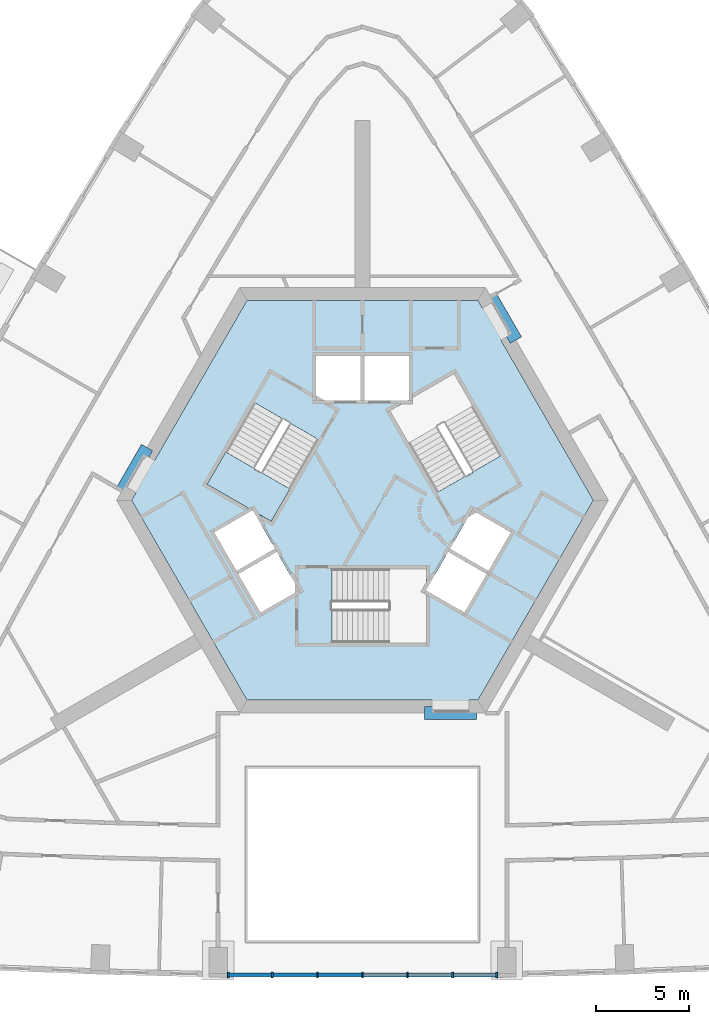
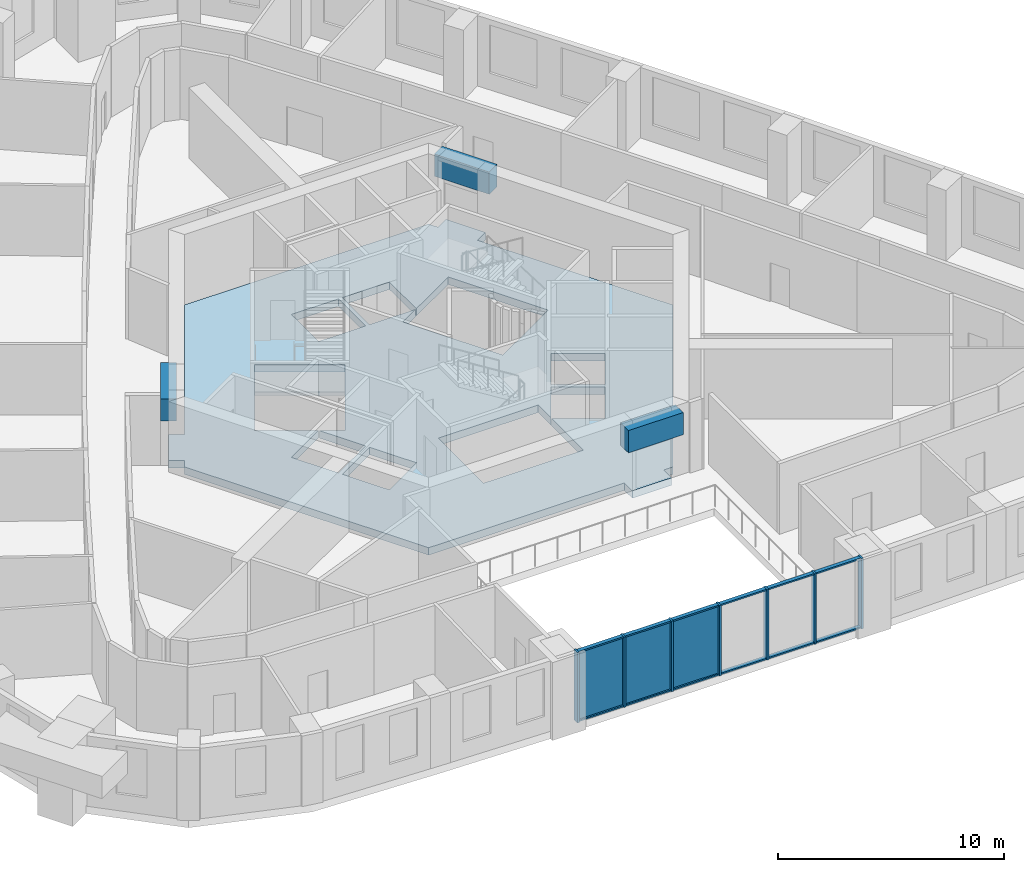
# One storey, part 2 of 13: 19 members, 3 beams, 3 plates, 2 slabs, 2 elements without a shape of their own.
"""IFC4 building model written with IfcOpenShell, lengths in metres."""

from ifc_helpers import new_model, si_unit, direction, frame, origin, origin_2d, place, context, subcontext, project, spatial, polyline, rectangle, outline, extrude, material, layer, layer_set, material_profile, profile_set, type_object, element, aggregate, save


model = new_model("IFC4")

# Units and contexts
model_context = context("Model", 3, precision=1e-05, world=origin(), true_north=direction((0.0, 1.0)))
body_context = subcontext(model_context, "Body", "Model", "MODEL_VIEW")
ifc_project = project(units=[si_unit("LENGTHUNIT", "METRE"), si_unit("AREAUNIT", "SQUARE_METRE"), si_unit("VOLUMEUNIT", "CUBIC_METRE"), si_unit("PLANEANGLEUNIT", "RADIAN"), si_unit("MASSUNIT", "GRAM", prefix="KILO")], contexts=[model_context])

# Site, building, storey
site_placement = place(None, origin())
site = spatial("IfcSite", under=ifc_project, at=site_placement, CompositionType="ELEMENT")
building_placement = place(site_placement, origin())
building = spatial("IfcBuilding", under=site, at=building_placement, Name="Entoto Arch Interchange Tower", CompositionType="ELEMENT")
storey_placement = place(building_placement, frame((0.0, 0.0, 223.39990234375)))
storey = spatial("IfcBuildingStorey", under=building, at=storey_placement, Name="L50", CompositionType="ELEMENT", Elevation=223.39990234375)

# Beams
ifc_material_1 = material(Name="Concrete C50/60", Category="concrete")
ifc_material_profile_1 = material_profile(ifc_material_1, rectangle(XDim=0.699951171875, YDim=1.199951171875, at=origin_2d()))
ifc_profile_set_1 = profile_set([ifc_material_profile_1], Name="Concrete C50/60")
beam_type = type_object("IfcBeamType", Name="Coupling beam RC 700x1200 C50/60", PredefinedType="BEAM", material=ifc_profile_set_1)
for number, where, z_axis, x_axis, name in (
    (1, (8.283935546875, 11.152099609375, 3.0), (-0.500135180047, 0.865947343479, 0.0), (-0.865947343479, -0.500135180047, 0.0), "Coupling beam NE L50"),
    (2, (-11.634033203125, 5.347900390625, 3.0), (-0.500135180047, -0.865947343479, 0.0), (0.865947343479, -0.500135180047, 0.0), "Coupling beam NW L50"),
):
    element("IfcBeam", number, at=place(storey_placement, frame(where, z_axis=z_axis, x_axis=x_axis)), inside=storey, type_object=beam_type, Name=name, PredefinedType="BEAM", context=body_context, shape_type="SweptSolid", body=[
        extrude(rectangle(XDim=0.699951171875, YDim=1.199951171875, at=origin_2d()), origin(), (0.0, 0.0, 1.0), 2.799072265625),
    ])
beam_placement = place(storey_placement, frame((3.35009765625, -9.0, 3.0), z_axis=(1.0, 0.0, 0.0), x_axis=(0.0, 1.0, 0.0)))
element("IfcBeam", 3, at=beam_placement, inside=storey, type_object=beam_type, Name="Coupling beam S L50", PredefinedType="BEAM", context=body_context, shape_type="SweptSolid", body=[
    extrude(rectangle(XDim=0.699951171875, YDim=1.199951171875, at=origin_2d()), origin(), (0.0, 0.0, 1.0), 2.7998046875),
])

# Curtain wall, members
ifc_material_2 = material(Name="Aluminium, anodised", Category="aluminium")
curtain_wall_type = type_object("IfcCurtainWallType", Name="CURTAIN WALL ATRIUM", PredefinedType="NOTDEFINED", material=ifc_material_2)
curtain_wall_placement = place(storey_placement, origin())
curtain_wall = element("IfcCurtainWall", 4, at=curtain_wall_placement, inside=storey, type_object=curtain_wall_type, Name="Atrium glazing S-03 L50", PredefinedType="NOTDEFINED")
ifc_material_profile_2 = material_profile(ifc_material_2, rectangle(XDim=0.300048828125, YDim=0.10009765625, at=origin_2d()))
ifc_profile_set_2 = profile_set([ifc_material_profile_2], Name="Aluminium, anodised")
member_type_1 = type_object("IfcMemberType", Name="MULLION ATRIUM 100x300", PredefinedType="MULLION", material=ifc_profile_set_2)
member_1_placement = place(storey_placement, frame((-7.2490234375, -23.135986328125, 0.0), z_axis=(0.0, 0.0, 1.0), x_axis=(0.0, 1.0, 0.0)))
member_1 = element("IfcMember", 5, at=member_1_placement, type_object=member_type_1, Name="CWA mullion 1", PredefinedType="MULLION", context=body_context, shape_type="SweptSolid", body=[
    extrude(rectangle(XDim=0.300048828125, YDim=0.10009765625, at=origin_2d()), origin(), (0.0, 0.0, 1.0), 3.800048828125),
])
member_2_placement = place(storey_placement, frame((-4.865966796875, -23.135986328125, 0.0), z_axis=(0.0, 0.0, 1.0), x_axis=(0.0, 1.0, 0.0)))
member_2 = element("IfcMember", 6, at=member_2_placement, type_object=member_type_1, Name="CWA mullion 2", PredefinedType="MULLION", context=body_context, shape_type="SweptSolid", body=[
    extrude(rectangle(XDim=0.300048828125, YDim=0.10009765625, at=origin_2d()), origin(), (0.0, 0.0, 1.0), 3.800048828125),
])
member_3_placement = place(storey_placement, frame((-2.43310546875, -23.135986328125, 0.0), z_axis=(0.0, 0.0, 1.0), x_axis=(0.0, 1.0, 0.0)))
member_3 = element("IfcMember", 7, at=member_3_placement, type_object=member_type_1, Name="CWA mullion 3", PredefinedType="MULLION", context=body_context, shape_type="SweptSolid", body=[
    extrude(rectangle(XDim=0.300048828125, YDim=0.10009765625, at=origin_2d()), origin(), (0.0, 0.0, 1.0), 3.800048828125),
])
member_4_placement = place(storey_placement, frame((0.0, -23.135986328125, 0.0), z_axis=(0.0, 0.0, 1.0), x_axis=(0.0, 1.0, 0.0)))
member_4 = element("IfcMember", 8, at=member_4_placement, type_object=member_type_1, Name="CWA mullion 4", PredefinedType="MULLION", context=body_context, shape_type="SweptSolid", body=[
    extrude(rectangle(XDim=0.300048828125, YDim=0.10009765625, at=origin_2d()), origin(), (0.0, 0.0, 1.0), 3.800048828125),
])
member_5_placement = place(storey_placement, frame((2.43310546875, -23.135986328125, 0.0), z_axis=(0.0, 0.0, 1.0), x_axis=(0.0, 1.0, 0.0)))
member_5 = element("IfcMember", 9, at=member_5_placement, type_object=member_type_1, Name="CWA mullion 5", PredefinedType="MULLION", context=body_context, shape_type="SweptSolid", body=[
    extrude(rectangle(XDim=0.300048828125, YDim=0.10009765625, at=origin_2d()), origin(), (0.0, 0.0, 1.0), 3.800048828125),
])
member_6_placement = place(storey_placement, frame((4.865966796875, -23.135986328125, 0.0), z_axis=(0.0, 0.0, 1.0), x_axis=(0.0, 1.0, 0.0)))
member_6 = element("IfcMember", 10, at=member_6_placement, type_object=member_type_1, Name="CWA mullion 6", PredefinedType="MULLION", context=body_context, shape_type="SweptSolid", body=[
    extrude(rectangle(XDim=0.300048828125, YDim=0.10009765625, at=origin_2d()), origin(), (0.0, 0.0, 1.0), 3.800048828125),
])
member_7_placement = place(storey_placement, frame((7.2490234375, -23.135986328125, 0.0), z_axis=(0.0, 0.0, 1.0), x_axis=(0.0, 1.0, 0.0)))
member_7 = element("IfcMember", 11, at=member_7_placement, type_object=member_type_1, Name="CWA mullion 7", PredefinedType="MULLION", context=body_context, shape_type="SweptSolid", body=[
    extrude(rectangle(XDim=0.300048828125, YDim=0.10009765625, at=origin_2d()), origin(), (0.0, 0.0, 1.0), 3.800048828125),
])
ifc_material_profile_3 = material_profile(ifc_material_2, rectangle(XDim=0.199951171875, YDim=0.080078125, at=origin_2d()))
ifc_profile_set_3 = profile_set([ifc_material_profile_3], Name="Aluminium, anodised")
member_type_2 = type_object("IfcMemberType", Name="TRANSOM ATRIUM 80x200", PredefinedType="USERDEFINED", material=ifc_profile_set_3)
member_8_placement = place(storey_placement, frame((-7.198974609375, -23.135986328125, 0.0400390625), z_axis=(1.0, 0.0, 0.0), x_axis=(0.0, 1.0, 0.0)))
member_8 = element("IfcMember", 12, at=member_8_placement, type_object=member_type_2, Name="CWA transom 1.1", ObjectType="TRANSOM", PredefinedType="USERDEFINED", context=body_context, shape_type="SweptSolid", body=[
    extrude(rectangle(XDim=0.199951171875, YDim=0.080078125, at=origin_2d()), origin(), (0.0, 0.0, 1.0), 2.282958984375),
])
member_9_placement = place(storey_placement, frame((-7.198974609375, -23.135986328125, 3.760009765625), z_axis=(1.0, 0.0, 0.0), x_axis=(0.0, 1.0, 0.0)))
member_9 = element("IfcMember", 13, at=member_9_placement, type_object=member_type_2, Name="CWA transom 1.2", ObjectType="TRANSOM", PredefinedType="USERDEFINED", context=body_context, shape_type="SweptSolid", body=[
    extrude(rectangle(XDim=0.199951171875, YDim=0.080078125, at=origin_2d()), origin(), (0.0, 0.0, 1.0), 2.282958984375),
])
member_10_placement = place(storey_placement, frame((-4.81591796875, -23.135986328125, 0.0400390625), z_axis=(1.0, 0.0, 0.0), x_axis=(0.0, 1.0, 0.0)))
member_10 = element("IfcMember", 14, at=member_10_placement, type_object=member_type_2, Name="CWA transom 2.1", ObjectType="TRANSOM", PredefinedType="USERDEFINED", context=body_context, shape_type="SweptSolid", body=[
    extrude(rectangle(XDim=0.199951171875, YDim=0.080078125, at=origin_2d()), origin(), (0.0, 0.0, 1.0), 2.3330078125),
])
member_11_placement = place(storey_placement, frame((-4.81591796875, -23.135986328125, 3.760009765625), z_axis=(1.0, 0.0, 0.0), x_axis=(0.0, 1.0, 0.0)))
member_11 = element("IfcMember", 15, at=member_11_placement, type_object=member_type_2, Name="CWA transom 2.2", ObjectType="TRANSOM", PredefinedType="USERDEFINED", context=body_context, shape_type="SweptSolid", body=[
    extrude(rectangle(XDim=0.199951171875, YDim=0.080078125, at=origin_2d()), origin(), (0.0, 0.0, 1.0), 2.3330078125),
])
member_12_placement = place(storey_placement, frame((-2.383056640625, -23.135986328125, 0.0400390625), z_axis=(1.0, 0.0, 0.0), x_axis=(0.0, 1.0, 0.0)))
member_12 = element("IfcMember", 16, at=member_12_placement, type_object=member_type_2, Name="CWA transom 3.1", ObjectType="TRANSOM", PredefinedType="USERDEFINED", context=body_context, shape_type="SweptSolid", body=[
    extrude(rectangle(XDim=0.199951171875, YDim=0.080078125, at=origin_2d()), origin(), (0.0, 0.0, 1.0), 2.3330078125),
])
member_13_placement = place(storey_placement, frame((-2.383056640625, -23.135986328125, 3.760009765625), z_axis=(1.0, 0.0, 0.0), x_axis=(0.0, 1.0, 0.0)))
member_13 = element("IfcMember", 17, at=member_13_placement, type_object=member_type_2, Name="CWA transom 3.2", ObjectType="TRANSOM", PredefinedType="USERDEFINED", context=body_context, shape_type="SweptSolid", body=[
    extrude(rectangle(XDim=0.199951171875, YDim=0.080078125, at=origin_2d()), origin(), (0.0, 0.0, 1.0), 2.3330078125),
])
member_14_placement = place(storey_placement, frame((0.050048828125, -23.135986328125, 0.0400390625), z_axis=(1.0, 0.0, 0.0), x_axis=(0.0, 1.0, 0.0)))
member_14 = element("IfcMember", 18, at=member_14_placement, type_object=member_type_2, Name="CWA transom 4.1", ObjectType="TRANSOM", PredefinedType="USERDEFINED", context=body_context, shape_type="SweptSolid", body=[
    extrude(rectangle(XDim=0.199951171875, YDim=0.080078125, at=origin_2d()), origin(), (0.0, 0.0, 1.0), 2.3330078125),
])
member_15_placement = place(storey_placement, frame((0.050048828125, -23.135986328125, 3.760009765625), z_axis=(1.0, 0.0, 0.0), x_axis=(0.0, 1.0, 0.0)))
member_15 = element("IfcMember", 19, at=member_15_placement, type_object=member_type_2, Name="CWA transom 4.2", ObjectType="TRANSOM", PredefinedType="USERDEFINED", context=body_context, shape_type="SweptSolid", body=[
    extrude(rectangle(XDim=0.199951171875, YDim=0.080078125, at=origin_2d()), origin(), (0.0, 0.0, 1.0), 2.3330078125),
])
member_16_placement = place(storey_placement, frame((2.48291015625, -23.135986328125, 0.0400390625), z_axis=(1.0, 0.0, 0.0), x_axis=(0.0, 1.0, 0.0)))
member_16 = element("IfcMember", 20, at=member_16_placement, type_object=member_type_2, Name="CWA transom 5.1", ObjectType="TRANSOM", PredefinedType="USERDEFINED", context=body_context, shape_type="SweptSolid", body=[
    extrude(rectangle(XDim=0.199951171875, YDim=0.080078125, at=origin_2d()), origin(), (0.0, 0.0, 1.0), 2.3330078125),
])
member_17_placement = place(storey_placement, frame((2.48291015625, -23.135986328125, 3.760009765625), z_axis=(1.0, 0.0, 0.0), x_axis=(0.0, 1.0, 0.0)))
member_17 = element("IfcMember", 21, at=member_17_placement, type_object=member_type_2, Name="CWA transom 5.2", ObjectType="TRANSOM", PredefinedType="USERDEFINED", context=body_context, shape_type="SweptSolid", body=[
    extrude(rectangle(XDim=0.199951171875, YDim=0.080078125, at=origin_2d()), origin(), (0.0, 0.0, 1.0), 2.3330078125),
])
member_18_placement = place(storey_placement, frame((4.916015625, -23.135986328125, 0.0400390625), z_axis=(1.0, 0.0, 0.0), x_axis=(0.0, 1.0, 0.0)))
member_18 = element("IfcMember", 22, at=member_18_placement, type_object=member_type_2, Name="CWA transom 6.1", ObjectType="TRANSOM", PredefinedType="USERDEFINED", context=body_context, shape_type="SweptSolid", body=[
    extrude(rectangle(XDim=0.199951171875, YDim=0.080078125, at=origin_2d()), origin(), (0.0, 0.0, 1.0), 2.282958984375),
])
member_19_placement = place(storey_placement, frame((4.916015625, -23.135986328125, 3.760009765625), z_axis=(1.0, 0.0, 0.0), x_axis=(0.0, 1.0, 0.0)))
member_19 = element("IfcMember", 23, at=member_19_placement, type_object=member_type_2, Name="CWA transom 6.2", ObjectType="TRANSOM", PredefinedType="USERDEFINED", context=body_context, shape_type="SweptSolid", body=[
    extrude(rectangle(XDim=0.199951171875, YDim=0.080078125, at=origin_2d()), origin(), (0.0, 0.0, 1.0), 2.282958984375),
])

# Slab
ifc_material_3 = material(Name="Concrete C40/50", Category="concrete")
ifc_layer_1 = layer(ifc_material_3, 0.39990234375)
ifc_layer_set_1 = layer_set([ifc_layer_1], Name="Concrete C40/50")
slab_type_1 = type_object("IfcSlabType", Name="Core floor slab 400 C40/50", PredefinedType="FLOOR", material=ifc_layer_set_1)
slab_1_placement = place(storey_placement, frame((0.0, 0.0, -0.39990234375)))
element("IfcSlab", 24, at=slab_1_placement, inside=storey, type_object=slab_type_1, Name="Core floor slab L50", PredefinedType="FLOOR", context=body_context, shape_type="SweptSolid", body=[
    extrude(outline(polyline([(5.75, -9.0), (3.75, -9.0), (3.75, -8.300048828125), (-6.235107421875, -8.300048828125), (-12.470947265625, 2.5), (-12.22802734375, 2.919921875), (-12.833984375, 3.27001953125), (-11.833984375, 5.001953125), (-11.22802734375, 4.652099609375), (-6.235107421875, 13.300048828125), (6.235107421875, 13.300048828125), (6.47802734375, 12.8798828125), (7.083984375, 13.22998046875), (8.083984375, 11.498046875), (7.47802734375, 11.14794921875), (12.470947265625, 2.5), (6.235107421875, -8.300048828125), (5.75, -8.300048828125), (5.75, -9.0)]), holes=[polyline([(-1.64990234375, -5.199951171875), (3.449951171875, -5.199951171875), (3.449951171875, -2.3779296875), (5.5048828125, -3.56494140625), (6.705078125, -1.487060546875), (4.626953125, -0.287109375), (3.449951171875, -2.324951171875), (3.449951171875, -1.199951171875), (-1.64990234375, -1.199951171875), (-1.64990234375, -5.199951171875)]), polyline([(-4.626953125, -0.287109375), (-6.705078125, -1.487060546875), (-5.5048828125, -3.56494140625), (-3.427001953125, -2.364990234375), (-4.626953125, -0.287109375)]), polyline([(-5.904052734375, 1.925048828125), (-4.928955078125, 1.362060546875), (-2.37890625, 5.779052734375), (-5.843017578125, 7.779052734375), (-8.39306640625, 3.362060546875), (-5.949951171875, 1.951904296875), (-8.0048828125, 0.764892578125), (-6.804931640625, -1.31298828125), (-4.72705078125, -0.113037109375), (-5.904052734375, 1.925048828125)]), polyline([(4.72705078125, -0.113037109375), (6.804931640625, -1.31298828125), (8.0048828125, 0.764892578125), (5.927001953125, 1.965087890625), (4.72705078125, -0.113037109375)]), polyline([(2.5, 7.927001953125), (2.5, 10.300048828125), (0.10009765625, 10.300048828125), (0.10009765625, 7.89990234375), (2.452880859375, 7.89990234375), (1.47900390625, 7.337890625), (4.029052734375, 2.9208984375), (7.492919921875, 4.9208984375), (4.943115234375, 9.337890625), (2.5, 7.927001953125)]), polyline([(-2.5, 7.89990234375), (-0.10009765625, 7.89990234375), (-0.10009765625, 10.300048828125), (-2.5, 10.300048828125), (-2.5, 7.89990234375)])]), origin(), (0.0, 0.0, 1.0), 0.39990234375),
])

# Stair, slab
stair_type = type_object("IfcStairType", Name="EXIT STAIR RC 1800", PredefinedType="HALF_TURN_STAIR", material=ifc_material_3)
stair_placement = place(storey_placement, origin())
stair = element("IfcStair", 25, at=stair_placement, inside=storey, type_object=stair_type, Name="L50 Exit stair NW", PredefinedType="HALF_TURN_STAIR")
ifc_layer_2 = layer(ifc_material_3, 0.199951171875)
ifc_layer_set_2 = layer_set([ifc_layer_2], Name="Concrete C40/50")
slab_type_2 = type_object("IfcSlabType", Name="EXIT STAIR LANDING RC 200", PredefinedType="LANDING", material=ifc_layer_set_2)
slab_2_placement = place(storey_placement, frame((0.0, 0.0, 1.900146484375)))
slab_2 = element("IfcSlab", 26, at=slab_2_placement, type_object=slab_type_2, Name="ST-NW landing 1", PredefinedType="LANDING", context=body_context, shape_type="SweptSolid", body=[
    extrude(outline(polyline([(-7.38330078125, 5.111572265625), (-8.393310546875, 3.3623046875), (-4.92919921875, 1.3623046875), (-3.919189453125, 3.111572265625), (-7.38330078125, 5.111572265625)])), origin(), (0.0, 0.0, 1.0), 0.199951171875),
])
aggregate(stair, [slab_2])

# Plate
ifc_material_4 = material(Name="Clear glass, low-e double glazed", Category="glass")
ifc_layer_3 = layer(ifc_material_4, 0.031982421875)
ifc_layer_set_3 = layer_set([ifc_layer_3], Name="Clear glass, low-e double glazed")
plate_type = type_object("IfcPlateType", Name="GLAZING PANEL ATRIUM 32", PredefinedType="CURTAIN_PANEL", material=ifc_layer_set_3)
plate_1_placement = place(storey_placement, frame((-6.0576171875, -23.135986328125, 0.080078125), z_axis=(0.0, 0.0, 1.0), x_axis=(1.0, 0.0, 0.0)))
plate_1 = element("IfcPlate", 27, at=plate_1_placement, type_object=plate_type, Name="CWA panel 1.1", PredefinedType="CURTAIN_PANEL", context=body_context, shape_type="SweptSolid", body=[
    extrude(rectangle(XDim=2.282958984375, YDim=0.031982421875, at=origin_2d()), origin(), (0.0, 0.0, 1.0), 3.639892578125),
])

plate_2_placement = place(storey_placement, frame((-3.6494140625, -23.135986328125, 0.080078125), z_axis=(0.0, 0.0, 1.0), x_axis=(1.0, 0.0, 0.0)))
plate_2 = element("IfcPlate", 28, at=plate_2_placement, type_object=plate_type, Name="CWA panel 2.1", PredefinedType="CURTAIN_PANEL", context=body_context, shape_type="SweptSolid", body=[
    extrude(rectangle(XDim=2.3330078125, YDim=0.031982421875, at=origin_2d()), origin(), (0.0, 0.0, 1.0), 3.639892578125),
])

plate_3_placement = place(storey_placement, frame((-1.216552734375, -23.135986328125, 0.080078125), z_axis=(0.0, 0.0, 1.0), x_axis=(1.0, 0.0, 0.0)))
plate_3 = element("IfcPlate", 29, at=plate_3_placement, type_object=plate_type, Name="CWA panel 3.1", PredefinedType="CURTAIN_PANEL", context=body_context, shape_type="SweptSolid", body=[
    extrude(rectangle(XDim=2.3330078125, YDim=0.031982421875, at=origin_2d()), origin(), (0.0, 0.0, 1.0), 3.639892578125),
])

aggregate(curtain_wall, [member_1, member_2, member_3, member_4, member_5, member_6, member_7, member_8, member_9, plate_1, member_10, member_11, plate_2, member_12, member_13, plate_3, member_14, member_15, member_16, member_17, member_18, member_19])

save(model, "model.ifc")
